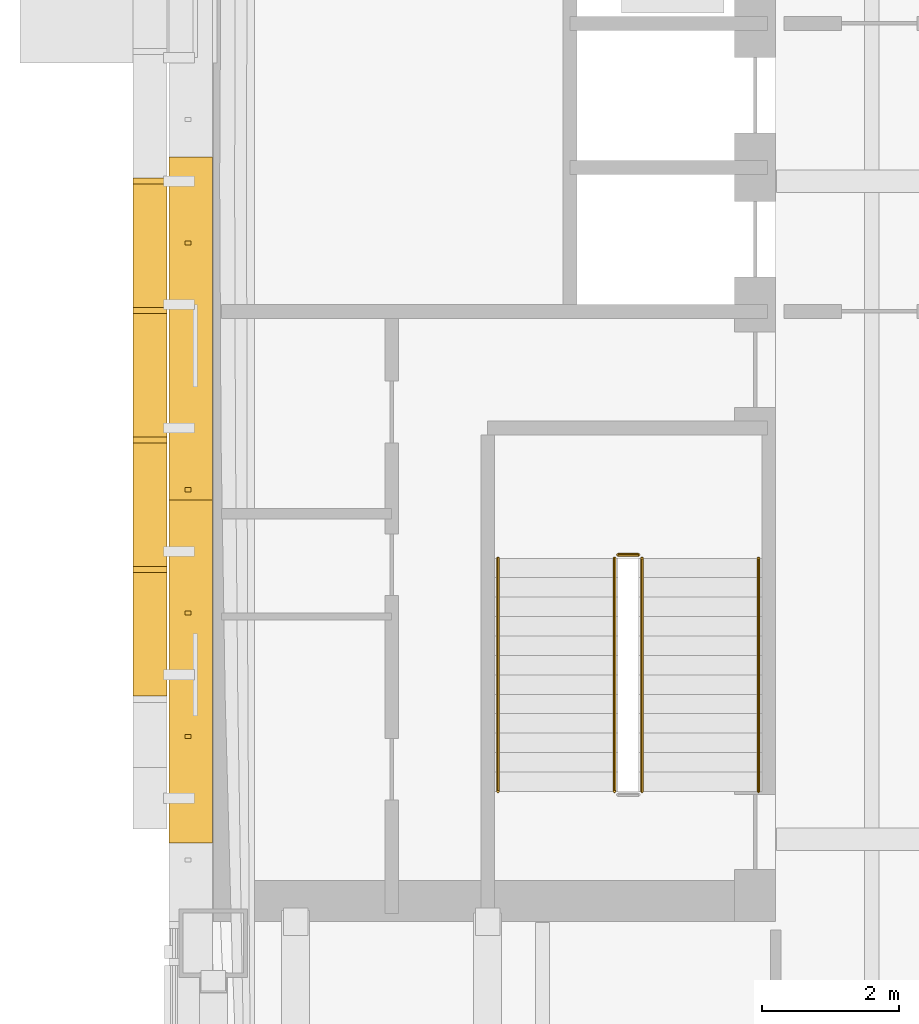
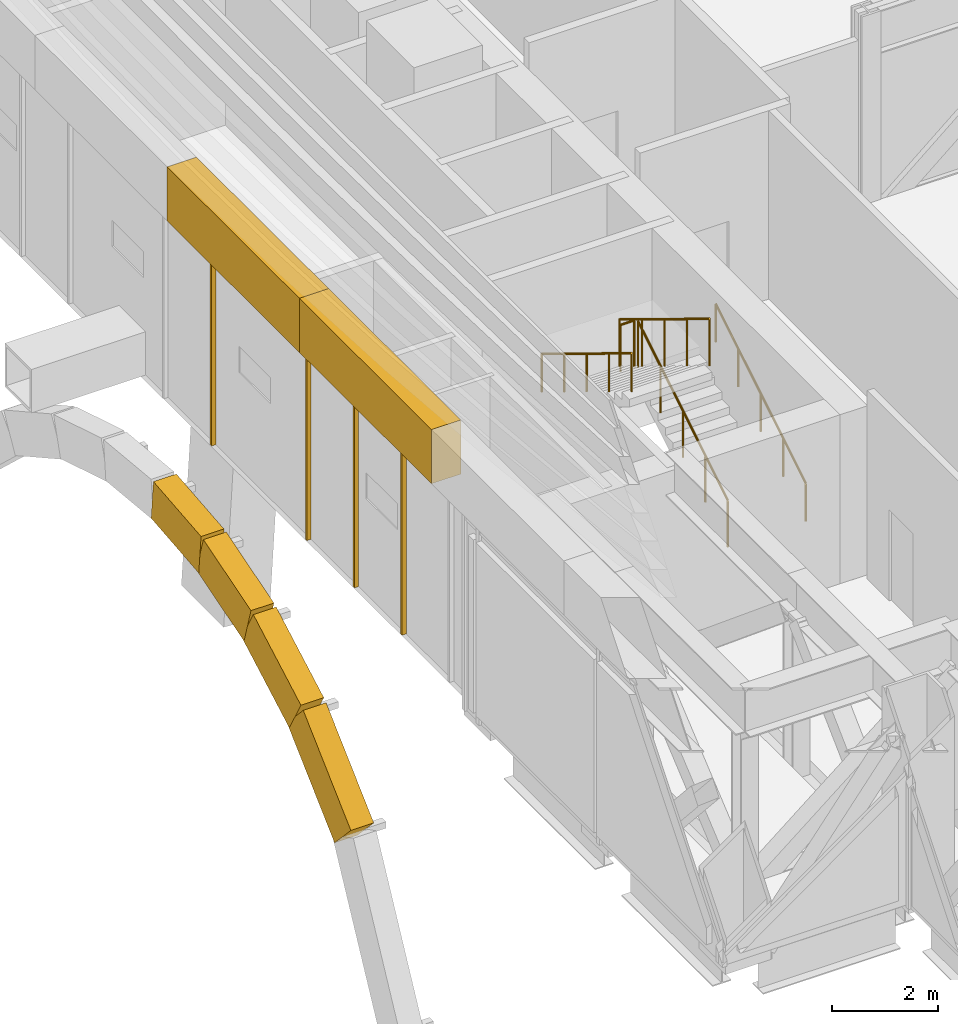
# One storey, part 24 of 39: 10 coverings, 5 railings.
"""IFC4 building model written with IfcOpenShell, lengths in metres."""

import ifcopenshell
import ifcopenshell.guid

model = None  # the IFC model being written
_history = None  # IfcOwnerHistory: only IFC2X3 demands one
_inside = {}  # id of a spatial element -> (the spatial element, [elements in it])
_under = {}  # id of a project, library or spatial element -> (it, [spatial elements below it])
_declared = {}  # id of a project -> (the project, [libraries it declares])
_typed = {}  # id of a type object -> (the type object, [elements of that type])
_made_of = {}  # id of a material, layer set ... -> (it, [elements and type objects made of it])


def new_model(schema):
    """Start an empty IFC model of exactly this schema.

    Asked for "IFC4X3", IfcOpenShell would pick the latest addendum, in which some entities
    have other attributes; the version numbers below select the first issue.
    IFC2X3 requires an IfcOwnerHistory on every rooted entity: one is made here for all.
    """
    global model, _history
    if schema == "IFC4X3":
        model = ifcopenshell.file(schema_version=(4, 3, 0, 0))
    else:
        model = ifcopenshell.file(schema=schema)
    _inside.clear()
    _under.clear()
    _declared.clear()
    _typed.clear()
    _made_of.clear()
    _history = None
    if model.schema == "IFC2X3":
        org = make("IfcOrganization", Name="unknown")
        user = make(
            "IfcPersonAndOrganization",
            ThePerson=make("IfcPerson", FamilyName="unknown"),
            TheOrganization=org,
        )
        app = make(
            "IfcApplication",
            ApplicationDeveloper=org,
            Version="unknown",
            ApplicationFullName="unknown",
            ApplicationIdentifier="unknown",
        )
        _history = make(
            "IfcOwnerHistory",
            OwningUser=user,
            OwningApplication=app,
            ChangeAction="ADDED",
            CreationDate=0,
        )
    return model


def make(cls, **values):
    """One entity of the class cls with the attributes given. An attribute that is None is left unset."""
    return model.create_entity(
        cls, **{name: value for name, value in values.items() if value is not None}
    )


def rooted(cls, **values):
    """An entity with a GlobalId (a new one), such as an element, a storey or a relation."""
    return make(cls, GlobalId=ifcopenshell.guid.new(), OwnerHistory=_history, **values)


def si_unit(unit_type, name, prefix=None):
    """IfcSIUnit, for example si_unit("LENGTHUNIT", "METRE", prefix="MILLI")."""
    return make("IfcSIUnit", UnitType=unit_type, Prefix=prefix, Name=name)


def assignment(units):
    """IfcUnitAssignment: the units of a project."""
    return None if units is None else make("IfcUnitAssignment", Units=units)


def point(xyz):
    """IfcCartesianPoint."""
    return None if xyz is None else make("IfcCartesianPoint", Coordinates=xyz)


def direction(xyz):
    """IfcDirection."""
    return None if xyz is None else make("IfcDirection", DirectionRatios=xyz)


def frame(location, z_axis=None, x_axis=None):
    """IfcAxis2Placement3D, a coordinate frame: its origin and axes. An axis left out is left unset."""
    return make(
        "IfcAxis2Placement3D",
        Location=point(location),
        Axis=direction(z_axis),
        RefDirection=direction(x_axis),
    )


def frame_2d(location, x_axis=None):
    """IfcAxis2Placement2D, a coordinate frame in the plane: its origin and x axis."""
    return make(
        "IfcAxis2Placement2D", Location=point(location), RefDirection=direction(x_axis)
    )


def origin():
    """The frame at (0, 0, 0) with its axes left unset."""
    return frame((0.0, 0.0, 0.0))


def origin_2d():
    """The frame at (0, 0) in the plane with its x axis left unset."""
    return frame_2d((0.0, 0.0))


def place(relative_to, where):
    """IfcLocalPlacement: puts the frame where relative to a parent placement (None: the world)."""
    return make(
        "IfcLocalPlacement", PlacementRelTo=relative_to, RelativePlacement=where
    )


def context(
    kind, dimensions, precision=None, world=None, true_north=None, identifier=None
):
    """IfcGeometricRepresentationContext, for example the 3D "Model" context."""
    return make(
        "IfcGeometricRepresentationContext",
        ContextIdentifier=identifier,
        ContextType=kind,
        CoordinateSpaceDimension=dimensions,
        Precision=precision,
        WorldCoordinateSystem=world,
        TrueNorth=true_north,
    )


def subcontext(parent, identifier, kind, view, scale=None):
    """IfcGeometricRepresentationSubContext, for example "Body" below "Model"."""
    return make(
        "IfcGeometricRepresentationSubContext",
        ContextIdentifier=identifier,
        ContextType=kind,
        ParentContext=parent,
        TargetScale=scale,
        TargetView=view,
    )


def project(units=None, contexts=None):
    """IfcProject with its units and contexts."""
    return rooted(
        "IfcProject",
        Name="project",
        RepresentationContexts=contexts,
        UnitsInContext=assignment(units),
    )


def spatial(cls, under=None, at=None, **own):
    """A site, building, storey or space (cls), placed at a placement, below another one or the project."""
    s = rooted(cls, ObjectPlacement=at, **own)
    if under is not None:
        _under.setdefault(under.id(), (under, []))[1].append(s)
    return s


def polyline(points):
    """IfcPolyline through the points."""
    return make("IfcPolyline", Points=[point(p) for p in points])


def profile(cls, at=None, kind="AREA", **sizes):
    """A parametric profile (cls). Its sizes go by their IFC names, for example OverallWidth=200.0."""
    return make(cls, ProfileType=kind, Position=at, **sizes)


def rectangle(**sizes):
    """IfcRectangleProfileDef."""
    return profile("IfcRectangleProfileDef", **sizes)


def circle(**sizes):
    """IfcCircleProfileDef."""
    return profile("IfcCircleProfileDef", **sizes)


def outline(outer, holes=None, kind="AREA"):
    """IfcArbitraryClosedProfileDef: a profile drawn as a closed curve; with holes, ...WithVoids."""
    if holes is None:
        return make("IfcArbitraryClosedProfileDef", ProfileType=kind, OuterCurve=outer)
    return make(
        "IfcArbitraryProfileDefWithVoids",
        ProfileType=kind,
        OuterCurve=outer,
        InnerCurves=holes,
    )


def extrude(swept, where, along, depth):
    """IfcExtrudedAreaSolid: the profile swept, set in the frame where, extruded along a direction by depth."""
    return make(
        "IfcExtrudedAreaSolid",
        SweptArea=swept,
        Position=where,
        ExtrudedDirection=direction(along),
        Depth=depth,
    )


def shape(context_of_items, identifier, shape_type, items):
    """IfcShapeRepresentation: the items that make up one representation, for example the "Body"."""
    return make(
        "IfcShapeRepresentation",
        ContextOfItems=context_of_items,
        RepresentationIdentifier=identifier,
        RepresentationType=shape_type,
        Items=items,
    )


def material(Name=None, Category=None):
    """IfcMaterial."""
    return make("IfcMaterial", Name=Name, Category=Category)


def material_profile(
    of_material, cross_section, Name=None, Category=None, Priority=None
):
    """IfcMaterialProfile: a cross section and its material."""
    return make(
        "IfcMaterialProfile",
        Name=Name,
        Material=of_material,
        Profile=cross_section,
        Priority=Priority,
        Category=Category,
    )


def profile_set(profiles, Name=None, composite=None):
    """IfcMaterialProfileSet."""
    return make(
        "IfcMaterialProfileSet",
        Name=Name,
        MaterialProfiles=profiles,
        CompositeProfile=composite,
    )


def made_of(thing, what):
    """Note that an element or type object is made of a material, layer set ...; save() writes the relation."""
    if what is not None:
        _made_of.setdefault(what.id(), (what, []))[1].append(thing)
    return thing


def type_object(cls, material=None, **own):
    """A type object (cls), such as IfcWallType, which elements share."""
    return made_of(rooted(cls, **own), material)


def element(
    cls,
    number,
    at=None,
    inside=None,
    cuts=None,
    type_object=None,
    material=None,
    context=None,
    identifier="Body",
    shape_type=None,
    held_by="IfcProductDefinitionShape",
    body=None,
    shapes=None,
    **own,
):
    """One element of the class cls, such as IfcWall. Its Tag is "e" and its number.

    at: its placement. inside: the storey or other place that contains it. cuts: it is an
    opening in that element (IfcRelVoidsElement). A single representation is given by context,
    identifier, shape_type and body (its items); several are given by shapes. held_by: the class
    of the entity that holds the representations. save() writes the other relations.
    """
    e = rooted(cls, Tag="e%d" % number, ObjectPlacement=at, **own)
    if body is not None:
        shapes = [shape(context, identifier, shape_type, body)]
    if shapes is not None:
        e.Representation = make(held_by, Representations=shapes)
    if inside is not None:
        _inside.setdefault(inside.id(), (inside, []))[1].append(e)
    if cuts is not None:
        rooted(
            "IfcRelVoidsElement", RelatingBuildingElement=cuts, RelatedOpeningElement=e
        )
    if type_object is not None:
        _typed.setdefault(type_object.id(), (type_object, []))[1].append(e)
    return made_of(e, material)


def aggregate(whole, parts):
    """IfcRelAggregates: a whole, such as a stair, and the parts it consists of."""
    return rooted("IfcRelAggregates", RelatingObject=whole, RelatedObjects=parts)


def save(model, path):
    """Write the relations noted so far, then the file.

    IfcRelAggregates (storeys below a building ...), IfcRelContainedInSpatialStructure (elements
    in a storey), IfcRelDefinesByType, IfcRelAssociatesMaterial and IfcRelDeclares: one each for
    every whole, place, type object, material and project.
    """
    for whole, parts in _under.values():
        aggregate(whole, parts)
    for where, things in _inside.values():
        rooted(
            "IfcRelContainedInSpatialStructure",
            RelatedElements=things,
            RelatingStructure=where,
        )
    for kind, things in _typed.values():
        rooted("IfcRelDefinesByType", RelatedObjects=things, RelatingType=kind)
    for what, things in _made_of.values():
        rooted("IfcRelAssociatesMaterial", RelatedObjects=things, RelatingMaterial=what)
    for by, libraries in _declared.values():
        rooted("IfcRelDeclares", RelatingContext=by, RelatedDefinitions=libraries)
    model.write(path)


model = new_model("IFC4")

# Units and contexts
model_context = context("Model", 3, precision=1e-05, world=origin(), true_north=direction((0.0, 1.0)))
body_context = subcontext(model_context, "Body", "Model", "MODEL_VIEW")
ifc_project = project(units=[si_unit("LENGTHUNIT", "METRE"), si_unit("AREAUNIT", "SQUARE_METRE"), si_unit("VOLUMEUNIT", "CUBIC_METRE"), si_unit("PLANEANGLEUNIT", "RADIAN"), si_unit("MASSUNIT", "GRAM", prefix="KILO")], contexts=[model_context])

# Site, building, storey
site_placement = place(None, origin())
site = spatial("IfcSite", under=ifc_project, at=site_placement, CompositionType="ELEMENT")
building_placement = place(site_placement, origin())
building = spatial("IfcBuilding", under=site, at=building_placement, Name="Cobrizo Arcos Hotel Tower", CompositionType="ELEMENT")
storey_placement = place(building_placement, frame((0.0, 0.0, 84.5)))
storey = spatial("IfcBuildingStorey", under=building, at=storey_placement, Name="L20", CompositionType="ELEMENT", Elevation=84.5)

# Coverings
ifc_material_1 = material(Name="Aluminium 6063-T6 anodised pale", Category="aluminium")
ifc_material_profile = material_profile(ifc_material_1, rectangle(XDim=0.5, YDim=0.89990234375, at=origin_2d()), Name="AF-2 core arch rim 500x900")
ifc_profile_set = profile_set([ifc_material_profile], Name="Aluminium 6063-T6 anodised pale")
covering_type_1 = type_object("IfcCoveringType", Name="AF-2 core arch rim 500x900", PredefinedType="CLADDING", material=ifc_profile_set)
covering_1_placement = place(storey_placement, frame((-24.925048828125, -7.199951171875, -4.9462890625), z_axis=(0.0, 0.73088053178, 0.682505419952), x_axis=(-1.0, 0.0, 0.0)))
element("IfcCovering", 1, at=covering_1_placement, inside=storey, type_object=covering_type_1, Name="Arch rim A W face", PredefinedType="CLADDING", context=body_context, shape_type="SweptSolid", body=[
    extrude(rectangle(XDim=0.5, YDim=0.89990234375, at=origin_2d()), origin(), (0.0, 0.0, 1.0), 2.462890625),
])
covering_2_placement = place(storey_placement, frame((-24.925048828125, -5.39990234375, -3.265380859375), z_axis=(0.0, 0.873832790044, 0.486226547037), x_axis=(-1.0, 0.0, 0.0)))
element("IfcCovering", 2, at=covering_2_placement, inside=storey, type_object=covering_type_1, Name="Arch rim A W face", PredefinedType="CLADDING", context=body_context, shape_type="SweptSolid", body=[
    extrude(rectangle(XDim=0.5, YDim=0.89990234375, at=origin_2d()), origin(), (0.0, 0.0, 1.0), 2.0595703125),
])
covering_3_placement = place(storey_placement, frame((-24.925048828125, -3.60009765625, -2.263916015625), z_axis=(0.0, 0.956599999026, 0.291404258485), x_axis=(-1.0, 0.0, 0.0)))
element("IfcCovering", 3, at=covering_3_placement, inside=storey, type_object=covering_type_1, Name="Arch rim A W face", PredefinedType="CLADDING", context=body_context, shape_type="SweptSolid", body=[
    extrude(rectangle(XDim=0.5, YDim=0.89990234375, at=origin_2d()), origin(), (0.0, 0.0, 1.0), 1.8818359375),
])
covering_4_placement = place(storey_placement, frame((-24.925048828125, -1.800048828125, -1.715576171875), z_axis=(0.0, 0.995278769418, 0.097057566148), x_axis=(-1.0, 0.0, 0.0)))
element("IfcCovering", 4, at=covering_4_placement, inside=storey, type_object=covering_type_1, Name="Arch rim A W face", PredefinedType="CLADDING", context=body_context, shape_type="SweptSolid", body=[
    extrude(rectangle(XDim=0.5, YDim=0.89990234375, at=origin_2d()), origin(), (0.0, 0.0, 1.0), 1.80859375),
])
covering_type_2 = type_object("IfcCoveringType", Name="LF-1 setback skirt", PredefinedType="CLADDING", material=ifc_material_1)
covering_5_placement = place(storey_placement, frame((0.0, 0.0, 4.5)))
element("IfcCovering", 5, at=covering_5_placement, inside=storey, type_object=covering_type_2, Name="Setback skirt L20", PredefinedType="CLADDING", context=body_context, shape_type="SweptSolid", body=[
    extrude(outline(polyline([(-24.64990234375, -4.64990234375), (-24.64990234375, -9.64990234375), (-24.010009765625, -9.64990234375), (-24.010009765625, -4.64990234375), (-24.64990234375, -4.64990234375)])), origin(), (0.0, 0.0, 1.0), 1.25),
])
covering_6_placement = place(storey_placement, frame((0.0, 0.0, 4.5)))
element("IfcCovering", 6, at=covering_6_placement, inside=storey, type_object=covering_type_2, Name="Setback skirt L20", PredefinedType="CLADDING", context=body_context, shape_type="SweptSolid", body=[
    extrude(outline(polyline([(-24.64990234375, 0.35009765625), (-24.64990234375, -4.64990234375), (-24.010009765625, -4.64990234375), (-24.010009765625, 0.35009765625), (-24.64990234375, 0.35009765625)])), origin(), (0.0, 0.0, 1.0), 1.25),
])
covering_type_3 = type_object("IfcCoveringType", Name="RS-1 rainscreen rib 60x90", PredefinedType="CLADDING", material=ifc_material_1)
for number, where, z_axis, x_axis, name in (
    (7, (-24.3701171875, -0.89990234375, 0.0), (0.0, 0.0, 1.0), (0.0, -1.0, 0.0), "Rainscreen rib 36"),
    (8, (-24.3701171875, -4.5, 0.0), (0.0, 0.0, 1.0), (0.0, -1.0, 0.0), "Rainscreen rib 37"),
    (9, (-24.3701171875, -6.300048828125, 0.0), (0.0, 0.0, 1.0), (0.0, -1.0, 0.0), "Rainscreen rib 38"),
    (10, (-24.3701171875, -8.10009765625, 0.0), (0.0, 0.0, 1.0), (0.0, -1.0, 0.0), "Rainscreen rib 39"),
):
    element("IfcCovering", number, at=place(storey_placement, frame(where, z_axis=z_axis, x_axis=x_axis)), inside=storey, type_object=covering_type_3, Name=name, PredefinedType="CLADDING", context=body_context, shape_type="SweptSolid", body=[
        extrude(rectangle(XDim=0.06005859375, YDim=0.090087890625, at=origin_2d()), origin(), (0.0, 0.0, 1.0), 4.5),
    ])

# Railings
ifc_material_2 = material(Name="Stainless steel railing", Category="steel")
railing_type_1 = type_object("IfcRailingType", Name="Stair guard 1100", PredefinedType="GUARDRAIL", material=ifc_material_2)
railing_1_placement = place(storey_placement, frame((-17.75, -8.89990234375, 0.173095703125)))
element("IfcRailing", 11, at=railing_1_placement, inside=storey, type_object=railing_type_1, Name="L20 ST-W stair guard 1", PredefinedType="GUARDRAIL", context=body_context, shape_type="SweptSolid", body=[
    extrude(circle(Radius=0.02392578125, at=origin_2d()), frame((0.0, 0.0, 1.076171875), z_axis=(0.0, 0.853372706543, 0.52130127923), x_axis=(-1.0, 0.0, 0.0)), (0.0, 0.0, 1.0), 3.984130859375),
    extrude(circle(Radius=0.02099609375, at=origin_2d()), origin(), (0.0, 0.0, 1.0), 1.052001953125),
    extrude(circle(Radius=0.02099609375, at=origin_2d()), frame((0.0, 0.85009765625, 0.519287109375)), (0.0, 0.0, 1.0), 1.052001953125),
    extrude(circle(Radius=0.02099609375, at=origin_2d()), frame((0.0, 1.699951171875, 1.03857421875)), (0.0, 0.0, 1.0), 1.052001953125),
    extrude(circle(Radius=0.02099609375, at=origin_2d()), frame((0.0, 2.5498046875, 1.5576171875)), (0.0, 0.0, 1.0), 1.052001953125),
    extrude(circle(Radius=0.02099609375, at=origin_2d()), frame((0.0, 3.39990234375, 2.076904296875)), (0.0, 0.0, 1.0), 1.052001953125),
])
railing_2_placement = place(storey_placement, frame((-17.800048828125, -5.449951171875, 2.25)))
element("IfcRailing", 12, at=railing_2_placement, inside=storey, type_object=railing_type_1, Name="L20 ST-W stair guard 2", PredefinedType="GUARDRAIL", context=body_context, shape_type="SweptSolid", body=[
    extrude(circle(Radius=0.02392578125, at=origin_2d()), frame((0.0, 0.0, 1.076171875), z_axis=(-1.0, 0.0, 0.0), x_axis=(0.0, -1.0, 0.0)), (0.0, 0.0, 1.0), 0.300048828125),
    extrude(circle(Radius=0.02099609375, at=origin_2d()), origin(), (0.0, 0.0, 1.0), 1.052001953125),
    extrude(circle(Radius=0.02099609375, at=origin_2d()), frame((-0.300048828125, 0.0, 0.0)), (0.0, 0.0, 1.0), 1.052001953125),
])
railing_3_placement = place(storey_placement, frame((-18.14990234375, -5.5, 2.423095703125)))
element("IfcRailing", 13, at=railing_3_placement, inside=storey, type_object=railing_type_1, Name="L20 ST-W stair guard 3", PredefinedType="GUARDRAIL", context=body_context, shape_type="SweptSolid", body=[
    extrude(circle(Radius=0.02392578125, at=origin_2d()), frame((0.0, 0.0, 1.076171875), z_axis=(0.0, -0.853372706543, 0.52130127923), x_axis=(1.0, 0.0, 0.0)), (0.0, 0.0, 1.0), 3.984130859375),
    extrude(circle(Radius=0.02099609375, at=origin_2d()), origin(), (0.0, 0.0, 1.0), 1.052001953125),
    extrude(circle(Radius=0.02099609375, at=origin_2d()), frame((0.0, -0.85009765625, 0.519287109375)), (0.0, 0.0, 1.0), 1.052001953125),
    extrude(circle(Radius=0.02099609375, at=origin_2d()), frame((0.0, -1.699951171875, 1.03857421875)), (0.0, 0.0, 1.0), 1.052001953125),
    extrude(circle(Radius=0.02099609375, at=origin_2d()), frame((0.0, -2.5498046875, 1.5576171875)), (0.0, 0.0, 1.0), 1.052001953125),
    extrude(circle(Radius=0.02099609375, at=origin_2d()), frame((0.0, -3.39990234375, 2.076904296875)), (0.0, 0.0, 1.0), 1.052001953125),
])
railing_type_2 = type_object("IfcRailingType", Name="Stair handrail", PredefinedType="HANDRAIL", material=ifc_material_2)
railing_4_placement = place(storey_placement, frame((-16.050048828125, -8.89990234375, 0.173095703125)))
element("IfcRailing", 14, at=railing_4_placement, inside=storey, type_object=railing_type_2, Name="L20 ST-W stair handrail 1", PredefinedType="HANDRAIL", context=body_context, shape_type="SweptSolid", body=[
    extrude(circle(Radius=0.02392578125, at=origin_2d()), frame((0.0, 0.0, 0.8759765625), z_axis=(0.0, 0.853372706543, 0.52130127923), x_axis=(-1.0, 0.0, 0.0)), (0.0, 0.0, 1.0), 3.984130859375),
    extrude(circle(Radius=0.02099609375, at=origin_2d()), origin(), (0.0, 0.0, 1.0), 0.851806640625),
    extrude(circle(Radius=0.02099609375, at=origin_2d()), frame((0.0, 0.85009765625, 0.519287109375)), (0.0, 0.0, 1.0), 0.851806640625),
    extrude(circle(Radius=0.02099609375, at=origin_2d()), frame((0.0, 1.699951171875, 1.03857421875)), (0.0, 0.0, 1.0), 0.851806640625),
    extrude(circle(Radius=0.02099609375, at=origin_2d()), frame((0.0, 2.5498046875, 1.5576171875)), (0.0, 0.0, 1.0), 0.851806640625),
    extrude(circle(Radius=0.02099609375, at=origin_2d()), frame((0.0, 3.39990234375, 2.076904296875)), (0.0, 0.0, 1.0), 0.851806640625),
])
railing_5_placement = place(storey_placement, frame((-19.85009765625, -5.5, 2.423095703125)))
element("IfcRailing", 15, at=railing_5_placement, inside=storey, type_object=railing_type_2, Name="L20 ST-W stair handrail 2", PredefinedType="HANDRAIL", context=body_context, shape_type="SweptSolid", body=[
    extrude(circle(Radius=0.02392578125, at=origin_2d()), frame((0.0, 0.0, 0.8759765625), z_axis=(0.0, -0.853372706543, 0.52130127923), x_axis=(1.0, 0.0, 0.0)), (0.0, 0.0, 1.0), 3.984130859375),
    extrude(circle(Radius=0.02099609375, at=origin_2d()), origin(), (0.0, 0.0, 1.0), 0.851806640625),
    extrude(circle(Radius=0.02099609375, at=origin_2d()), frame((0.0, -0.85009765625, 0.519287109375)), (0.0, 0.0, 1.0), 0.851806640625),
    extrude(circle(Radius=0.02099609375, at=origin_2d()), frame((0.0, -1.699951171875, 1.03857421875)), (0.0, 0.0, 1.0), 0.851806640625),
    extrude(circle(Radius=0.02099609375, at=origin_2d()), frame((0.0, -2.5498046875, 1.5576171875)), (0.0, 0.0, 1.0), 0.851806640625),
    extrude(circle(Radius=0.02099609375, at=origin_2d()), frame((0.0, -3.39990234375, 2.076904296875)), (0.0, 0.0, 1.0), 0.851806640625),
])

save(model, "model.ifc")
